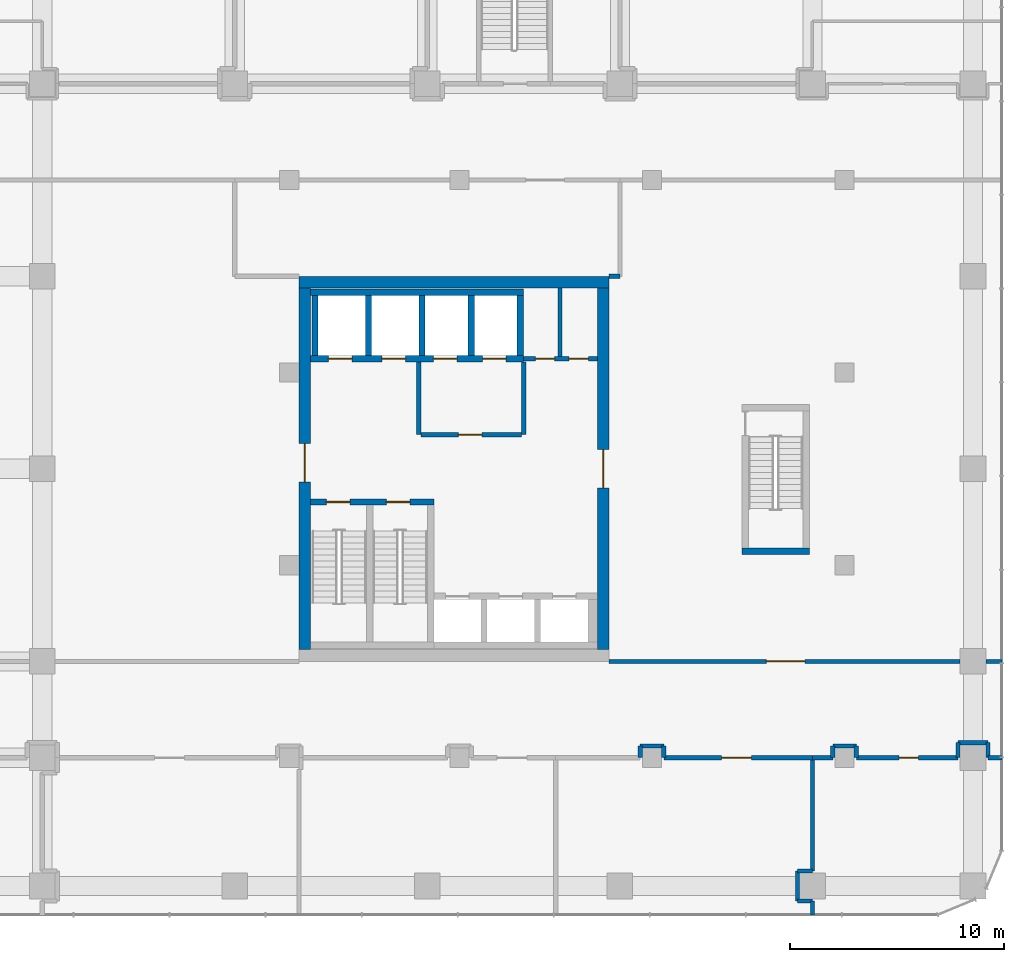
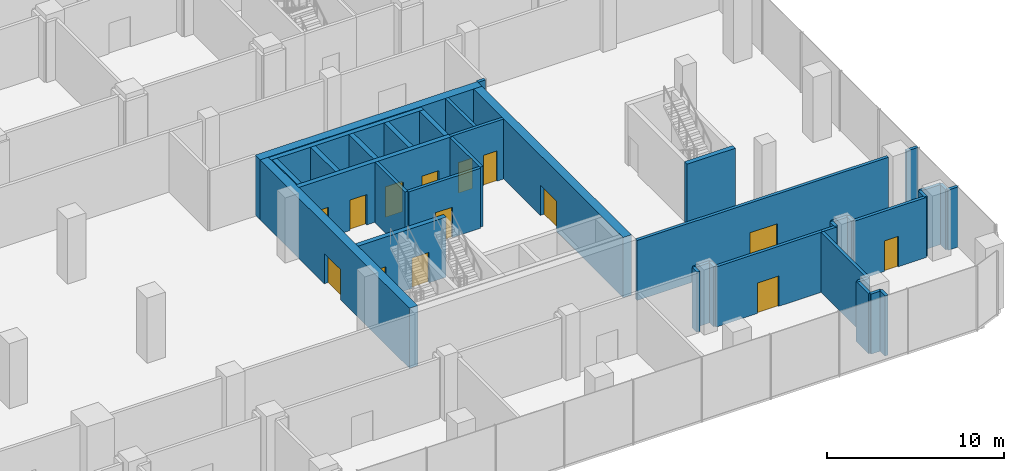
# One storey, part 34 of 43: 38 walls, 14 doors, 14 openings.
"""IFC4 building model written with IfcOpenShell, lengths in metres."""

import ifcopenshell
import ifcopenshell.guid

model = None  # the IFC model being written
_history = None  # IfcOwnerHistory: only IFC2X3 demands one
_inside = {}  # id of a spatial element -> (the spatial element, [elements in it])
_under = {}  # id of a project, library or spatial element -> (it, [spatial elements below it])
_declared = {}  # id of a project -> (the project, [libraries it declares])
_typed = {}  # id of a type object -> (the type object, [elements of that type])
_made_of = {}  # id of a material, layer set ... -> (it, [elements and type objects made of it])


def new_model(schema):
    """Start an empty IFC model of exactly this schema.

    Asked for "IFC4X3", IfcOpenShell would pick the latest addendum, in which some entities
    have other attributes; the version numbers below select the first issue.
    IFC2X3 requires an IfcOwnerHistory on every rooted entity: one is made here for all.
    """
    global model, _history
    if schema == "IFC4X3":
        model = ifcopenshell.file(schema_version=(4, 3, 0, 0))
    else:
        model = ifcopenshell.file(schema=schema)
    _inside.clear()
    _under.clear()
    _declared.clear()
    _typed.clear()
    _made_of.clear()
    _history = None
    if model.schema == "IFC2X3":
        org = make("IfcOrganization", Name="unknown")
        user = make(
            "IfcPersonAndOrganization",
            ThePerson=make("IfcPerson", FamilyName="unknown"),
            TheOrganization=org,
        )
        app = make(
            "IfcApplication",
            ApplicationDeveloper=org,
            Version="unknown",
            ApplicationFullName="unknown",
            ApplicationIdentifier="unknown",
        )
        _history = make(
            "IfcOwnerHistory",
            OwningUser=user,
            OwningApplication=app,
            ChangeAction="ADDED",
            CreationDate=0,
        )
    return model


def make(cls, **values):
    """One entity of the class cls with the attributes given. An attribute that is None is left unset."""
    return model.create_entity(
        cls, **{name: value for name, value in values.items() if value is not None}
    )


def rooted(cls, **values):
    """An entity with a GlobalId (a new one), such as an element, a storey or a relation."""
    return make(cls, GlobalId=ifcopenshell.guid.new(), OwnerHistory=_history, **values)


def si_unit(unit_type, name, prefix=None):
    """IfcSIUnit, for example si_unit("LENGTHUNIT", "METRE", prefix="MILLI")."""
    return make("IfcSIUnit", UnitType=unit_type, Prefix=prefix, Name=name)


def assignment(units):
    """IfcUnitAssignment: the units of a project."""
    return None if units is None else make("IfcUnitAssignment", Units=units)


def point(xyz):
    """IfcCartesianPoint."""
    return None if xyz is None else make("IfcCartesianPoint", Coordinates=xyz)


def direction(xyz):
    """IfcDirection."""
    return None if xyz is None else make("IfcDirection", DirectionRatios=xyz)


def frame(location, z_axis=None, x_axis=None):
    """IfcAxis2Placement3D, a coordinate frame: its origin and axes. An axis left out is left unset."""
    return make(
        "IfcAxis2Placement3D",
        Location=point(location),
        Axis=direction(z_axis),
        RefDirection=direction(x_axis),
    )


def frame_2d(location, x_axis=None):
    """IfcAxis2Placement2D, a coordinate frame in the plane: its origin and x axis."""
    return make(
        "IfcAxis2Placement2D", Location=point(location), RefDirection=direction(x_axis)
    )


def origin():
    """The frame at (0, 0, 0) with its axes left unset."""
    return frame((0.0, 0.0, 0.0))


def place(relative_to, where):
    """IfcLocalPlacement: puts the frame where relative to a parent placement (None: the world)."""
    return make(
        "IfcLocalPlacement", PlacementRelTo=relative_to, RelativePlacement=where
    )


def context(
    kind, dimensions, precision=None, world=None, true_north=None, identifier=None
):
    """IfcGeometricRepresentationContext, for example the 3D "Model" context."""
    return make(
        "IfcGeometricRepresentationContext",
        ContextIdentifier=identifier,
        ContextType=kind,
        CoordinateSpaceDimension=dimensions,
        Precision=precision,
        WorldCoordinateSystem=world,
        TrueNorth=true_north,
    )


def subcontext(parent, identifier, kind, view, scale=None):
    """IfcGeometricRepresentationSubContext, for example "Body" below "Model"."""
    return make(
        "IfcGeometricRepresentationSubContext",
        ContextIdentifier=identifier,
        ContextType=kind,
        ParentContext=parent,
        TargetScale=scale,
        TargetView=view,
    )


def project(units=None, contexts=None):
    """IfcProject with its units and contexts."""
    return rooted(
        "IfcProject",
        Name="project",
        RepresentationContexts=contexts,
        UnitsInContext=assignment(units),
    )


def spatial(cls, under=None, at=None, **own):
    """A site, building, storey or space (cls), placed at a placement, below another one or the project."""
    s = rooted(cls, ObjectPlacement=at, **own)
    if under is not None:
        _under.setdefault(under.id(), (under, []))[1].append(s)
    return s


def profile(cls, at=None, kind="AREA", **sizes):
    """A parametric profile (cls). Its sizes go by their IFC names, for example OverallWidth=200.0."""
    return make(cls, ProfileType=kind, Position=at, **sizes)


def rectangle(**sizes):
    """IfcRectangleProfileDef."""
    return profile("IfcRectangleProfileDef", **sizes)


def extrude(swept, where, along, depth):
    """IfcExtrudedAreaSolid: the profile swept, set in the frame where, extruded along a direction by depth."""
    return make(
        "IfcExtrudedAreaSolid",
        SweptArea=swept,
        Position=where,
        ExtrudedDirection=direction(along),
        Depth=depth,
    )


def shape(context_of_items, identifier, shape_type, items):
    """IfcShapeRepresentation: the items that make up one representation, for example the "Body"."""
    return make(
        "IfcShapeRepresentation",
        ContextOfItems=context_of_items,
        RepresentationIdentifier=identifier,
        RepresentationType=shape_type,
        Items=items,
    )


def material(Name=None, Category=None):
    """IfcMaterial."""
    return make("IfcMaterial", Name=Name, Category=Category)


def layer(
    of_material, thickness, ventilated=None, Name=None, Category=None, Priority=None
):
    """IfcMaterialLayer: one layer of a wall or slab, of a material (None: an air gap)."""
    return make(
        "IfcMaterialLayer",
        Material=of_material,
        LayerThickness=thickness,
        IsVentilated=ventilated,
        Name=Name,
        Category=Category,
        Priority=Priority,
    )


def layer_set(layers, Name=None):
    """IfcMaterialLayerSet."""
    return make("IfcMaterialLayerSet", MaterialLayers=layers, LayerSetName=Name)


def made_of(thing, what):
    """Note that an element or type object is made of a material, layer set ...; save() writes the relation."""
    if what is not None:
        _made_of.setdefault(what.id(), (what, []))[1].append(thing)
    return thing


def type_object(cls, material=None, **own):
    """A type object (cls), such as IfcWallType, which elements share."""
    return made_of(rooted(cls, **own), material)


def element(
    cls,
    number,
    at=None,
    inside=None,
    cuts=None,
    type_object=None,
    material=None,
    context=None,
    identifier="Body",
    shape_type=None,
    held_by="IfcProductDefinitionShape",
    body=None,
    shapes=None,
    **own,
):
    """One element of the class cls, such as IfcWall. Its Tag is "e" and its number.

    at: its placement. inside: the storey or other place that contains it. cuts: it is an
    opening in that element (IfcRelVoidsElement). A single representation is given by context,
    identifier, shape_type and body (its items); several are given by shapes. held_by: the class
    of the entity that holds the representations. save() writes the other relations.
    """
    e = rooted(cls, Tag="e%d" % number, ObjectPlacement=at, **own)
    if body is not None:
        shapes = [shape(context, identifier, shape_type, body)]
    if shapes is not None:
        e.Representation = make(held_by, Representations=shapes)
    if inside is not None:
        _inside.setdefault(inside.id(), (inside, []))[1].append(e)
    if cuts is not None:
        rooted(
            "IfcRelVoidsElement", RelatingBuildingElement=cuts, RelatedOpeningElement=e
        )
    if type_object is not None:
        _typed.setdefault(type_object.id(), (type_object, []))[1].append(e)
    return made_of(e, material)


def fill(opening, filler):
    """IfcRelFillsElement: the door or window that sits in an opening."""
    return rooted(
        "IfcRelFillsElement",
        RelatingOpeningElement=opening,
        RelatedBuildingElement=filler,
    )


def aggregate(whole, parts):
    """IfcRelAggregates: a whole, such as a stair, and the parts it consists of."""
    return rooted("IfcRelAggregates", RelatingObject=whole, RelatedObjects=parts)


def save(model, path):
    """Write the relations noted so far, then the file.

    IfcRelAggregates (storeys below a building ...), IfcRelContainedInSpatialStructure (elements
    in a storey), IfcRelDefinesByType, IfcRelAssociatesMaterial and IfcRelDeclares: one each for
    every whole, place, type object, material and project.
    """
    for whole, parts in _under.values():
        aggregate(whole, parts)
    for where, things in _inside.values():
        rooted(
            "IfcRelContainedInSpatialStructure",
            RelatedElements=things,
            RelatingStructure=where,
        )
    for kind, things in _typed.values():
        rooted("IfcRelDefinesByType", RelatedObjects=things, RelatingType=kind)
    for what, things in _made_of.values():
        rooted("IfcRelAssociatesMaterial", RelatedObjects=things, RelatingMaterial=what)
    for by, libraries in _declared.values():
        rooted("IfcRelDeclares", RelatingContext=by, RelatedDefinitions=libraries)
    model.write(path)


model = new_model("IFC4")

# Units and contexts
model_context = context("Model", 3, precision=1e-05, world=origin(), true_north=direction((0.0, 1.0)))
body_context = subcontext(model_context, "Body", "Model", "MODEL_VIEW")
ifc_project = project(units=[si_unit("LENGTHUNIT", "METRE"), si_unit("AREAUNIT", "SQUARE_METRE"), si_unit("VOLUMEUNIT", "CUBIC_METRE"), si_unit("PLANEANGLEUNIT", "RADIAN"), si_unit("MASSUNIT", "GRAM", prefix="KILO")], contexts=[model_context])

# Site, building, storey
site_placement = place(None, origin())
site = spatial("IfcSite", under=ifc_project, at=site_placement, CompositionType="ELEMENT")
building_placement = place(site_placement, origin())
building = spatial("IfcBuilding", under=site, at=building_placement, Name="Plateau Cross Towers", CompositionType="ELEMENT")
storey_placement = place(building_placement, frame((0.0, 0.0, 17.300048828125)))
storey = spatial("IfcBuildingStorey", under=building, at=storey_placement, Name="L03", CompositionType="ELEMENT", Elevation=17.300048828125)

# Wall
ifc_material_1 = material(Name="Concrete block, plastered both sides", Category="concrete")
ifc_layer_1 = layer(ifc_material_1, 0.199951171875)
ifc_layer_set_1 = layer_set([ifc_layer_1], Name="Concrete block, plastered both sides")
wall_type_1 = type_object("IfcWallType", Name="Core partition 200", PredefinedType="PARTITIONING", material=ifc_layer_set_1)
wall_1_placement = place(storey_placement, frame((80.60009765625, 10.60009765625, 0.0), z_axis=(0.0, 0.0, 1.0), x_axis=(0.0, 1.0, 0.0)))
element("IfcWall", 1, at=wall_1_placement, inside=storey, type_object=wall_type_1, Name="Core partition", PredefinedType="PARTITIONING", context=body_context, shape_type="SweptSolid", body=[
    extrude(rectangle(XDim=3.39990234375, YDim=0.199951171875, at=frame_2d((1.699951171875, 0.0))), origin(), (0.0, 0.0, 1.0), 4.14990234375),
])

# Wall, opening, door
wall_2_placement = place(storey_placement, frame((80.699951171875, 10.60009765625, 0.0), z_axis=(0.0, 0.0, 1.0), x_axis=(1.0, 0.0, 0.0)))
wall_2 = element("IfcWall", 2, at=wall_2_placement, inside=storey, type_object=wall_type_1, Name="Core partition", PredefinedType="PARTITIONING", context=body_context, shape_type="SweptSolid", body=[
    extrude(rectangle(XDim=4.699951171875, YDim=0.199951171875, at=frame_2d((2.35009765625, 0.0))), origin(), (0.0, 0.0, 1.0), 4.14990234375),
])
opening_1_placement = place(wall_2_placement, frame((1.75, 0.0, 0.0)))
opening_1 = element("IfcOpeningElement", 3, at=opening_1_placement, cuts=wall_2, Name="Opening FFD", PredefinedType="OPENING", context=body_context, shape_type="SweptSolid", body=[
    extrude(rectangle(XDim=1.10009765625, YDim=2.10009765625, at=frame_2d((0.550048828125, 1.050048828125))), frame((0.0, 0.10986328125, 0.0), z_axis=(0.0, -1.0, 0.0), x_axis=(1.0, 0.0, 0.0)), (0.0, 0.0, 1.0), 0.219970703125),
])
ifc_material_2 = material(Name="Steel, fire-resisting leaf", Category="steel")
door_type_1 = type_object("IfcDoorType", Name="Firefighting lobby door 1100", OperationType="NOTDEFINED", PredefinedType="DOOR", material=ifc_material_2)
door_1_placement = place(opening_1_placement, origin())
door_1 = element("IfcDoor", 4, at=door_1_placement, inside=storey, type_object=door_type_1, Name="Firefighting lobby door FFD", OperationType="SINGLE_SWING_LEFT", OverallHeight=2.10009765625, OverallWidth=1.10009765625, PredefinedType="DOOR", context=body_context, shape_type="SweptSolid", body=[
    extrude(rectangle(XDim=1.10009765625, YDim=2.10009765625, at=frame_2d((0.550048828125, 1.050048828125))), frame((0.0, 0.02490234375, 0.0), z_axis=(0.0, -1.0, 0.0), x_axis=(1.0, 0.0, 0.0)), (0.0, 0.0, 1.0), 0.050048828125),
])
fill(opening_1, door_1)

# Wall
wall_3_placement = place(storey_placement, frame((85.5, 10.60009765625, 0.0), z_axis=(0.0, 0.0, 1.0), x_axis=(0.0, 1.0, 0.0)))
element("IfcWall", 5, at=wall_3_placement, inside=storey, type_object=wall_type_1, Name="Core partition", PredefinedType="PARTITIONING", context=body_context, shape_type="SweptSolid", body=[
    extrude(rectangle(XDim=3.39990234375, YDim=0.199951171875, at=frame_2d((1.699951171875, 0.0))), origin(), (0.0, 0.0, 1.0), 4.14990234375),
])

# Wall, openings, doors
wall_4_placement = place(storey_placement, frame((85.5, 14.14990234375, 0.0), z_axis=(0.0, 0.0, 1.0), x_axis=(1.0, 0.0, 0.0)))
wall_4 = element("IfcWall", 6, at=wall_4_placement, inside=storey, type_object=wall_type_1, Name="Core partition", PredefinedType="PARTITIONING", context=body_context, shape_type="SweptSolid", body=[
    extrude(rectangle(XDim=3.449951171875, YDim=0.199951171875, at=frame_2d((1.72509765625, 0.0))), origin(), (0.0, 0.0, 1.0), 4.14990234375),
])
opening_2_placement = place(wall_4_placement, frame((0.550048828125, 0.0, 0.0)))
opening_2 = element("IfcOpeningElement", 7, at=opening_2_placement, cuts=wall_4, Name="Opening RD2", PredefinedType="OPENING", context=body_context, shape_type="SweptSolid", body=[
    extrude(rectangle(XDim=0.89990234375, YDim=2.10009765625, at=frame_2d((0.449951171875, 1.050048828125))), frame((0.0, 0.10986328125, 0.0), z_axis=(0.0, -1.0, 0.0), x_axis=(1.0, 0.0, 0.0)), (0.0, 0.0, 1.0), 0.219970703125),
])
opening_3_placement = place(wall_4_placement, frame((2.125, 0.0, 0.0)))
opening_3 = element("IfcOpeningElement", 8, at=opening_3_placement, cuts=wall_4, Name="Opening RD2", PredefinedType="OPENING", context=body_context, shape_type="SweptSolid", body=[
    extrude(rectangle(XDim=0.89990234375, YDim=2.10009765625, at=frame_2d((0.449951171875, 1.050048828125))), frame((0.0, 0.10986328125, 0.0), z_axis=(0.0, -1.0, 0.0), x_axis=(1.0, 0.0, 0.0)), (0.0, 0.0, 1.0), 0.219970703125),
])
door_type_2 = type_object("IfcDoorType", Name="Core riser door 900", OperationType="NOTDEFINED", PredefinedType="DOOR", material=ifc_material_2)
door_2_placement = place(opening_2_placement, origin())
door_2 = element("IfcDoor", 9, at=door_2_placement, inside=storey, type_object=door_type_2, Name="Core riser door RD2", OperationType="SINGLE_SWING_LEFT", OverallHeight=2.10009765625, OverallWidth=0.89990234375, PredefinedType="DOOR", context=body_context, shape_type="SweptSolid", body=[
    extrude(rectangle(XDim=0.89990234375, YDim=2.10009765625, at=frame_2d((0.449951171875, 1.050048828125))), frame((0.0, 0.02490234375, 0.0), z_axis=(0.0, -1.0, 0.0), x_axis=(1.0, 0.0, 0.0)), (0.0, 0.0, 1.0), 0.050048828125),
])
fill(opening_2, door_2)
door_3_placement = place(opening_3_placement, origin())
door_3 = element("IfcDoor", 10, at=door_3_placement, inside=storey, type_object=door_type_2, Name="Core riser door RD2", OperationType="SINGLE_SWING_LEFT", OverallHeight=2.10009765625, OverallWidth=0.89990234375, PredefinedType="DOOR", context=body_context, shape_type="SweptSolid", body=[
    extrude(rectangle(XDim=0.89990234375, YDim=2.10009765625, at=frame_2d((0.449951171875, 1.050048828125))), frame((0.0, 0.02490234375, 0.0), z_axis=(0.0, -1.0, 0.0), x_axis=(1.0, 0.0, 0.0)), (0.0, 0.0, 1.0), 0.050048828125),
])
fill(opening_3, door_3)

# Wall
wall_5_placement = place(storey_placement, frame((87.199951171875, 14.25, 0.0), z_axis=(0.0, 0.0, 1.0), x_axis=(0.0, 1.0, 0.0)))
element("IfcWall", 11, at=wall_5_placement, inside=storey, type_object=wall_type_1, Name="Core partition", PredefinedType="PARTITIONING", context=body_context, shape_type="SweptSolid", body=[
    extrude(rectangle(XDim=3.199951171875, YDim=0.199951171875, at=frame_2d((1.60009765625, 0.0))), origin(), (0.0, 0.0, 1.0), 4.14990234375),
])

# Wall, openings, doors
ifc_material_3 = material(Name="Concrete C60/75", Category="concrete")
ifc_layer_2 = layer(ifc_material_3, 0.300048828125)
ifc_layer_set_2 = layer_set([ifc_layer_2], Name="Concrete C60/75")
wall_type_2 = type_object("IfcWallType", Name="Core shaft wall 300", PredefinedType="SHEAR", material=ifc_layer_set_2)
wall_6_placement = place(storey_placement, frame((75.530029296875, 7.449951171875, 0.0), z_axis=(0.0, 0.0, 1.0), x_axis=(1.0, 0.0, 0.0)))
wall_6 = element("IfcWall", 12, at=wall_6_placement, inside=storey, type_object=wall_type_2, Name="B-sb-stN@L03", PredefinedType="SHEAR", context=body_context, shape_type="SweptSolid", body=[
    extrude(rectangle(XDim=5.77001953125, YDim=0.300048828125, at=frame_2d((2.885009765625, 0.0))), origin(), (0.0, 0.0, 1.0), 4.14990234375),
])
opening_4_placement = place(wall_6_placement, frame((0.75, 0.0, 0.0)))
opening_4 = element("IfcOpeningElement", 13, at=opening_4_placement, cuts=wall_6, Name="Opening SD", PredefinedType="OPENING", context=body_context, shape_type="SweptSolid", body=[
    extrude(rectangle(XDim=1.10009765625, YDim=2.10009765625, at=frame_2d((0.550048828125, 1.050048828125))), frame((0.0, 0.159912109375, 0.0), z_axis=(0.0, -1.0, 0.0), x_axis=(1.0, 0.0, 0.0)), (0.0, 0.0, 1.0), 0.320068359375),
])
opening_5_placement = place(wall_6_placement, frame((3.550048828125, 0.0, 0.0)))
opening_5 = element("IfcOpeningElement", 14, at=opening_5_placement, cuts=wall_6, Name="Opening SD", PredefinedType="OPENING", context=body_context, shape_type="SweptSolid", body=[
    extrude(rectangle(XDim=1.10009765625, YDim=2.10009765625, at=frame_2d((0.550048828125, 1.050048828125))), frame((0.0, 0.159912109375, 0.0), z_axis=(0.0, -1.0, 0.0), x_axis=(1.0, 0.0, 0.0)), (0.0, 0.0, 1.0), 0.320068359375),
])
door_type_3 = type_object("IfcDoorType", Name="Stair door 1100", OperationType="NOTDEFINED", PredefinedType="DOOR", material=ifc_material_2)
door_4_placement = place(opening_4_placement, origin())
door_4 = element("IfcDoor", 15, at=door_4_placement, inside=storey, type_object=door_type_3, Name="Stair door SD", OperationType="SINGLE_SWING_RIGHT", OverallHeight=2.10009765625, OverallWidth=1.10009765625, PredefinedType="DOOR", context=body_context, shape_type="SweptSolid", body=[
    extrude(rectangle(XDim=1.10009765625, YDim=2.10009765625, at=frame_2d((0.550048828125, 1.050048828125))), frame((0.0, 0.02490234375, 0.0), z_axis=(0.0, -1.0, 0.0), x_axis=(1.0, 0.0, 0.0)), (0.0, 0.0, 1.0), 0.050048828125),
])
fill(opening_4, door_4)
door_5_placement = place(opening_5_placement, origin())
door_5 = element("IfcDoor", 16, at=door_5_placement, inside=storey, type_object=door_type_3, Name="Stair door SD", OperationType="SINGLE_SWING_LEFT", OverallHeight=2.10009765625, OverallWidth=1.10009765625, PredefinedType="DOOR", context=body_context, shape_type="SweptSolid", body=[
    extrude(rectangle(XDim=1.10009765625, YDim=2.10009765625, at=frame_2d((0.550048828125, 1.050048828125))), frame((0.0, 0.02490234375, 0.0), z_axis=(0.0, -1.0, 0.0), x_axis=(1.0, 0.0, 0.0)), (0.0, 0.0, 1.0), 0.050048828125),
])
fill(opening_5, door_5)

# Wall
wall_7_placement = place(storey_placement, frame((75.530029296875, 17.25, 0.0), z_axis=(0.0, 0.0, 1.0), x_axis=(1.0, 0.0, 0.0)))
element("IfcWall", 17, at=wall_7_placement, inside=storey, type_object=wall_type_2, Name="B-nb-back@L03", PredefinedType="SHEAR", context=body_context, shape_type="SweptSolid", body=[
    extrude(rectangle(XDim=9.969970703125, YDim=0.300048828125, at=frame_2d((4.98486328125, 0.0))), origin(), (0.0, 0.0, 1.0), 4.14990234375),
])

# Wall, openings, doors
wall_8_placement = place(storey_placement, frame((75.530029296875, 14.14990234375, 0.0), z_axis=(0.0, 0.0, 1.0), x_axis=(1.0, 0.0, 0.0)))
wall_8 = element("IfcWall", 18, at=wall_8_placement, inside=storey, type_object=wall_type_2, Name="B-nb-front@L03", PredefinedType="SHEAR", context=body_context, shape_type="SweptSolid", body=[
    extrude(rectangle(XDim=9.969970703125, YDim=0.300048828125, at=frame_2d((4.98486328125, 0.0))), origin(), (0.0, 0.0, 1.0), 4.14990234375),
])
opening_6_placement = place(wall_8_placement, frame((0.85009765625, 0.0, 0.0)))
opening_6 = element("IfcOpeningElement", 19, at=opening_6_placement, cuts=wall_8, Name="Opening LD", PredefinedType="OPENING", context=body_context, shape_type="SweptSolid", body=[
    extrude(rectangle(XDim=1.10009765625, YDim=2.10009765625, at=frame_2d((0.550048828125, 1.050048828125))), frame((0.0, 0.159912109375, 0.0), z_axis=(0.0, -1.0, 0.0), x_axis=(1.0, 0.0, 0.0)), (0.0, 0.0, 1.0), 0.320068359375),
])
opening_7_placement = place(wall_8_placement, frame((3.35009765625, 0.0, 0.0)))
opening_7 = element("IfcOpeningElement", 20, at=opening_7_placement, cuts=wall_8, Name="Opening LD", PredefinedType="OPENING", context=body_context, shape_type="SweptSolid", body=[
    extrude(rectangle(XDim=1.10009765625, YDim=2.10009765625, at=frame_2d((0.550048828125, 1.050048828125))), frame((0.0, 0.159912109375, 0.0), z_axis=(0.0, -1.0, 0.0), x_axis=(1.0, 0.0, 0.0)), (0.0, 0.0, 1.0), 0.320068359375),
])
opening_8_placement = place(wall_8_placement, frame((5.75, 0.0, 0.0)))
opening_8 = element("IfcOpeningElement", 21, at=opening_8_placement, cuts=wall_8, Name="Opening LD", PredefinedType="OPENING", context=body_context, shape_type="SweptSolid", body=[
    extrude(rectangle(XDim=1.10009765625, YDim=2.10009765625, at=frame_2d((0.550048828125, 1.050048828125))), frame((0.0, 0.159912109375, 0.0), z_axis=(0.0, -1.0, 0.0), x_axis=(1.0, 0.0, 0.0)), (0.0, 0.0, 1.0), 0.320068359375),
])
opening_9_placement = place(wall_8_placement, frame((8.050048828125, 0.0, 0.0)))
opening_9 = element("IfcOpeningElement", 22, at=opening_9_placement, cuts=wall_8, Name="Opening LD", PredefinedType="OPENING", context=body_context, shape_type="SweptSolid", body=[
    extrude(rectangle(XDim=1.10009765625, YDim=2.10009765625, at=frame_2d((0.550048828125, 1.050048828125))), frame((0.0, 0.159912109375, 0.0), z_axis=(0.0, -1.0, 0.0), x_axis=(1.0, 0.0, 0.0)), (0.0, 0.0, 1.0), 0.320068359375),
])
ifc_material_4 = material(Name="Stainless steel, fire-resisting sliding leaves", Category="steel")
door_type_4 = type_object("IfcDoorType", Name="Lift landing door 1100", OperationType="NOTDEFINED", PredefinedType="DOOR", material=ifc_material_4)
door_6_placement = place(opening_6_placement, origin())
door_6 = element("IfcDoor", 23, at=door_6_placement, inside=storey, type_object=door_type_4, Name="Lift landing door LD", OperationType="DOUBLE_DOOR_SLIDING", OverallHeight=2.10009765625, OverallWidth=1.10009765625, PredefinedType="DOOR", context=body_context, shape_type="SweptSolid", body=[
    extrude(rectangle(XDim=1.10009765625, YDim=2.10009765625, at=frame_2d((0.550048828125, 1.050048828125))), frame((0.0, 0.02490234375, 0.0), z_axis=(0.0, -1.0, 0.0), x_axis=(1.0, 0.0, 0.0)), (0.0, 0.0, 1.0), 0.050048828125),
])
fill(opening_6, door_6)
door_7_placement = place(opening_7_placement, origin())
door_7 = element("IfcDoor", 24, at=door_7_placement, inside=storey, type_object=door_type_4, Name="Lift landing door LD", OperationType="DOUBLE_DOOR_SLIDING", OverallHeight=2.10009765625, OverallWidth=1.10009765625, PredefinedType="DOOR", context=body_context, shape_type="SweptSolid", body=[
    extrude(rectangle(XDim=1.10009765625, YDim=2.10009765625, at=frame_2d((0.550048828125, 1.050048828125))), frame((0.0, 0.02490234375, 0.0), z_axis=(0.0, -1.0, 0.0), x_axis=(1.0, 0.0, 0.0)), (0.0, 0.0, 1.0), 0.050048828125),
])
fill(opening_7, door_7)
door_8_placement = place(opening_8_placement, origin())
door_8 = element("IfcDoor", 25, at=door_8_placement, inside=storey, type_object=door_type_4, Name="Lift landing door LD", OperationType="DOUBLE_DOOR_SLIDING", OverallHeight=2.10009765625, OverallWidth=1.10009765625, PredefinedType="DOOR", context=body_context, shape_type="SweptSolid", body=[
    extrude(rectangle(XDim=1.10009765625, YDim=2.10009765625, at=frame_2d((0.550048828125, 1.050048828125))), frame((0.0, 0.02490234375, 0.0), z_axis=(0.0, -1.0, 0.0), x_axis=(1.0, 0.0, 0.0)), (0.0, 0.0, 1.0), 0.050048828125),
])
fill(opening_8, door_8)
door_9_placement = place(opening_9_placement, origin())
door_9 = element("IfcDoor", 26, at=door_9_placement, inside=storey, type_object=door_type_4, Name="Lift landing door LD", OperationType="DOUBLE_DOOR_SLIDING", OverallHeight=2.10009765625, OverallWidth=1.10009765625, PredefinedType="DOOR", context=body_context, shape_type="SweptSolid", body=[
    extrude(rectangle(XDim=1.10009765625, YDim=2.10009765625, at=frame_2d((0.550048828125, 1.050048828125))), frame((0.0, 0.02490234375, 0.0), z_axis=(0.0, -1.0, 0.0), x_axis=(1.0, 0.0, 0.0)), (0.0, 0.0, 1.0), 0.050048828125),
])
fill(opening_9, door_9)

# Walls
for number, where, z_axis, x_axis, name in (
    (27, (75.75, 14.300048828125, 0.0), (0.0, 0.0, 1.0), (0.0, 1.0, 0.0), "B-nb-v0@L03"),
    (28, (78.25, 14.300048828125, 0.0), (0.0, 0.0, 1.0), (0.0, 1.0, 0.0), "B-nb-v1@L03"),
    (29, (80.75, 14.300048828125, 0.0), (0.0, 0.0, 1.0), (0.0, 1.0, 0.0), "B-nb-v2@L03"),
    (30, (83.050048828125, 14.300048828125, 0.0), (0.0, 0.0, 1.0), (0.0, 1.0, 0.0), "B-nb-v3@L03"),
    (31, (85.35009765625, 14.300048828125, 0.0), (0.0, 0.0, 1.0), (0.0, 1.0, 0.0), "B-nb-v4@L03"),
):
    element("IfcWall", number, at=place(storey_placement, frame(where, z_axis=z_axis, x_axis=x_axis)), inside=storey, type_object=wall_type_2, Name=name, PredefinedType="SHEAR", context=body_context, shape_type="SweptSolid", body=[
        extrude(rectangle(XDim=2.800048828125, YDim=0.300048828125, at=frame_2d((1.39990234375, 0.0))), origin(), (0.0, 0.0, 1.0), 4.14990234375),
    ])
wall_9_placement = place(storey_placement, frame((95.699951171875, 5.14990234375, 0.0), z_axis=(0.0, 0.0, 1.0), x_axis=(1.0, 0.0, 0.0)))
element("IfcWall", 32, at=wall_9_placement, inside=storey, type_object=wall_type_2, Name="B-sb3-S@L03", PredefinedType="SHEAR", context=body_context, shape_type="SweptSolid", body=[
    extrude(rectangle(XDim=3.150146484375, YDim=0.300048828125, at=frame_2d((1.5751953125, 0.0))), origin(), (0.0, 0.0, 1.0), 4.14990234375),
])
ifc_layer_3 = layer(ifc_material_3, 0.550048828125)
ifc_layer_set_3 = layer_set([ifc_layer_3], Name="Concrete C60/75")
wall_type_3 = type_object("IfcWallType", Name="Core shell wall 550", PredefinedType="SHEAR", material=ifc_layer_set_3)
wall_10_placement = place(storey_placement, frame((75.0, 17.72509765625, 0.0), z_axis=(0.0, 0.0, 1.0), x_axis=(1.0, 0.0, 0.0)))
element("IfcWall", 33, at=wall_10_placement, inside=storey, type_object=wall_type_3, Name="B-core-N@L03", PredefinedType="SHEAR", context=body_context, shape_type="SweptSolid", body=[
    extrude(rectangle(XDim=14.5, YDim=0.550048828125, at=frame_2d((7.25, 0.0))), origin(), (0.0, 0.0, 1.0), 4.14990234375),
])

# Wall, opening, door
wall_11_placement = place(storey_placement, frame((75.27490234375, 0.550048828125, 0.0), z_axis=(0.0, 0.0, 1.0), x_axis=(0.0, 1.0, 0.0)))
wall_11 = element("IfcWall", 34, at=wall_11_placement, inside=storey, type_object=wall_type_3, Name="B-core-W@L03", PredefinedType="SHEAR", context=body_context, shape_type="SweptSolid", body=[
    extrude(rectangle(XDim=16.89990234375, YDim=0.550048828125, at=frame_2d((8.449951171875, 0.0))), origin(), (0.0, 0.0, 1.0), 4.14990234375),
])
opening_10_placement = place(wall_11_placement, frame((7.824951171875, 0.0, 0.0)))
opening_10 = element("IfcOpeningElement", 35, at=opening_10_placement, cuts=wall_11, Name="Opening CD", PredefinedType="OPENING", context=body_context, shape_type="SweptSolid", body=[
    extrude(rectangle(XDim=1.800048828125, YDim=2.10009765625, at=frame_2d((0.89990234375, 1.050048828125))), frame((0.0, 0.284912109375, 0.0), z_axis=(0.0, -1.0, 0.0), x_axis=(1.0, 0.0, 0.0)), (0.0, 0.0, 1.0), 0.570068359375),
])
ifc_material_5 = material(Name="Steel, fire-resisting leaves", Category="steel")
door_type_5 = type_object("IfcDoorType", Name="Corridor door pair 1800", OperationType="NOTDEFINED", PredefinedType="DOOR", material=ifc_material_5)
door_10_placement = place(opening_10_placement, origin())
door_10 = element("IfcDoor", 36, at=door_10_placement, inside=storey, type_object=door_type_5, Name="Corridor door pair CD", OperationType="DOUBLE_DOOR_SINGLE_SWING", OverallHeight=2.10009765625, OverallWidth=1.800048828125, PredefinedType="DOOR", context=body_context, shape_type="SweptSolid", body=[
    extrude(rectangle(XDim=1.800048828125, YDim=2.10009765625, at=frame_2d((0.89990234375, 1.050048828125))), frame((0.0, 0.02490234375, 0.0), z_axis=(0.0, -1.0, 0.0), x_axis=(1.0, 0.0, 0.0)), (0.0, 0.0, 1.0), 0.050048828125),
])
fill(opening_10, door_10)

wall_12_placement = place(storey_placement, frame((89.22509765625, 0.550048828125, 0.0), z_axis=(0.0, 0.0, 1.0), x_axis=(0.0, 1.0, 0.0)))
wall_12 = element("IfcWall", 37, at=wall_12_placement, inside=storey, type_object=wall_type_3, Name="B-core-E@L03", PredefinedType="SHEAR", context=body_context, shape_type="SweptSolid", body=[
    extrude(rectangle(XDim=16.89990234375, YDim=0.550048828125, at=frame_2d((8.449951171875, 0.0))), origin(), (0.0, 0.0, 1.0), 4.14990234375),
])
opening_11_placement = place(wall_12_placement, frame((7.550048828125, 0.0, 0.0)))
opening_11 = element("IfcOpeningElement", 38, at=opening_11_placement, cuts=wall_12, Name="Opening CD", PredefinedType="OPENING", context=body_context, shape_type="SweptSolid", body=[
    extrude(rectangle(XDim=1.800048828125, YDim=2.10009765625, at=frame_2d((0.89990234375, 1.050048828125))), frame((0.0, 0.284912109375, 0.0), z_axis=(0.0, -1.0, 0.0), x_axis=(1.0, 0.0, 0.0)), (0.0, 0.0, 1.0), 0.570068359375),
])
door_11_placement = place(opening_11_placement, origin())
door_11 = element("IfcDoor", 39, at=door_11_placement, inside=storey, type_object=door_type_5, Name="Corridor door pair CD", OperationType="DOUBLE_DOOR_SINGLE_SWING", OverallHeight=2.10009765625, OverallWidth=1.800048828125, PredefinedType="DOOR", context=body_context, shape_type="SweptSolid", body=[
    extrude(rectangle(XDim=1.800048828125, YDim=2.10009765625, at=frame_2d((0.89990234375, 1.050048828125))), frame((0.0, 0.02490234375, 0.0), z_axis=(0.0, -1.0, 0.0), x_axis=(1.0, 0.0, 0.0)), (0.0, 0.0, 1.0), 0.050048828125),
])
fill(opening_11, door_11)

ifc_material_6 = material(Name="Gypsum board on steel studs", Category="steel")
ifc_layer_4 = layer(ifc_material_6, 0.199951171875)
ifc_layer_set_4 = layer_set([ifc_layer_4], Name="Gypsum board on steel studs")
wall_type_4 = type_object("IfcWallType", Name="Podium partition 200", PredefinedType="PARTITIONING", material=ifc_layer_set_4)
wall_13_placement = place(storey_placement, frame((89.5, 0.0, 0.0), z_axis=(0.0, 0.0, 1.0), x_axis=(1.0, 0.0, 0.0)))
wall_13 = element("IfcWall", 40, at=wall_13_placement, inside=storey, type_object=wall_type_4, Name="Partition wall", PredefinedType="PARTITIONING", context=body_context, shape_type="SweptSolid", body=[
    extrude(rectangle(XDim=16.39990234375, YDim=0.199951171875, at=frame_2d((8.199951171875, 0.0))), origin(), (0.0, 0.0, 1.0), 4.14990234375),
])
opening_12_placement = place(wall_13_placement, frame((7.35009765625, 0.0, 0.0)))
opening_12 = element("IfcOpeningElement", 41, at=opening_12_placement, cuts=wall_13, Name="Opening 03-40", PredefinedType="OPENING", context=body_context, shape_type="SweptSolid", body=[
    extrude(rectangle(XDim=1.800048828125, YDim=2.10009765625, at=frame_2d((0.89990234375, 1.050048828125))), frame((0.0, 0.10986328125, 0.0), z_axis=(0.0, -1.0, 0.0), x_axis=(1.0, 0.0, 0.0)), (0.0, 0.0, 1.0), 0.219970703125),
])
ifc_material_7 = material(Name="Aluminium frame, toughened glass", Category="aluminium")
door_type_6 = type_object("IfcDoorType", Name="Podium door pair 1800", OperationType="NOTDEFINED", PredefinedType="DOOR", material=ifc_material_7)
door_12_placement = place(opening_12_placement, origin())
door_12 = element("IfcDoor", 42, at=door_12_placement, inside=storey, type_object=door_type_6, Name="Door 03-40", OperationType="DOUBLE_DOOR_SINGLE_SWING", OverallHeight=2.10009765625, OverallWidth=1.800048828125, PredefinedType="DOOR", context=body_context, shape_type="SweptSolid", body=[
    extrude(rectangle(XDim=1.800048828125, YDim=2.10009765625, at=frame_2d((0.89990234375, 1.050048828125))), frame((0.0, 0.02490234375, 0.0), z_axis=(0.0, -1.0, 0.0), x_axis=(1.0, 0.0, 0.0)), (0.0, 0.0, 1.0), 0.050048828125),
])
fill(opening_12, door_12)

# Wall
wall_14_placement = place(storey_placement, frame((107.10009765625, 0.0, 0.0), z_axis=(0.0, 0.0, 1.0), x_axis=(1.0, 0.0, 0.0)))
element("IfcWall", 43, at=wall_14_placement, inside=storey, type_object=wall_type_4, Name="Partition wall", PredefinedType="PARTITIONING", context=body_context, shape_type="SweptSolid", body=[
    extrude(rectangle(XDim=0.75, YDim=0.199951171875, at=frame_2d((0.375, 0.0))), origin(), (0.0, 0.0, 1.0), 4.14990234375),
])

# Wall, opening, door
wall_15_placement = place(storey_placement, frame((99.0, -4.5, 0.0), z_axis=(0.0, 0.0, 1.0), x_axis=(-1.0, 0.0, 0.0)))
wall_15 = element("IfcWall", 44, at=wall_15_placement, inside=storey, type_object=wall_type_4, Name="Partition wall", PredefinedType="PARTITIONING", context=body_context, shape_type="SweptSolid", body=[
    extrude(rectangle(XDim=6.949951171875, YDim=0.199951171875, at=frame_2d((3.47509765625, 0.0))), origin(), (0.0, 0.0, 1.0), 4.14990234375),
])
opening_13_placement = place(wall_15_placement, frame((2.85009765625, 0.0, 0.0)))
opening_13 = element("IfcOpeningElement", 45, at=opening_13_placement, cuts=wall_15, Name="Opening 03-17", PredefinedType="OPENING", context=body_context, shape_type="SweptSolid", body=[
    extrude(rectangle(XDim=1.39990234375, YDim=2.10009765625, at=frame_2d((0.699951171875, 1.050048828125))), frame((0.0, 0.10986328125, 0.0), z_axis=(0.0, -1.0, 0.0), x_axis=(1.0, 0.0, 0.0)), (0.0, 0.0, 1.0), 0.219970703125),
])
ifc_material_8 = material(Name="Timber, hospital grade leaf", Category="wood")
door_type_7 = type_object("IfcDoorType", Name="Clinic bed access door 1400x2100", OperationType="NOTDEFINED", PredefinedType="DOOR", material=ifc_material_8)
door_13_placement = place(opening_13_placement, origin())
door_13 = element("IfcDoor", 46, at=door_13_placement, inside=storey, type_object=door_type_7, Name="Door 03-17", OperationType="SINGLE_SWING_LEFT", OverallHeight=2.10009765625, OverallWidth=1.39990234375, PredefinedType="DOOR", context=body_context, shape_type="SweptSolid", body=[
    extrude(rectangle(XDim=1.39990234375, YDim=2.10009765625, at=frame_2d((0.699951171875, 1.050048828125))), frame((0.0, 0.02490234375, 0.0), z_axis=(0.0, -1.0, 0.0), x_axis=(1.0, 0.0, 0.0)), (0.0, 0.0, 1.0), 0.050048828125),
])
fill(opening_13, door_13)

# Walls
wall_16_placement = place(storey_placement, frame((92.050048828125, -4.5, 0.0), z_axis=(0.0, 0.0, 1.0), x_axis=(0.0, 1.0, 0.0)))
element("IfcWall", 47, at=wall_16_placement, inside=storey, type_object=wall_type_4, Name="Partition wall", PredefinedType="PARTITIONING", context=body_context, shape_type="SweptSolid", body=[
    extrude(rectangle(XDim=0.550048828125, YDim=0.199951171875, at=frame_2d((0.27490234375, 0.0))), origin(), (0.0, 0.0, 1.0), 4.14990234375),
])
wall_17_placement = place(storey_placement, frame((92.050048828125, -3.949951171875, 0.0), z_axis=(0.0, 0.0, 1.0), x_axis=(-1.0, 0.0, 0.0)))
element("IfcWall", 48, at=wall_17_placement, inside=storey, type_object=wall_type_4, Name="Partition wall", PredefinedType="PARTITIONING", context=body_context, shape_type="SweptSolid", body=[
    extrude(rectangle(XDim=1.10009765625, YDim=0.199951171875, at=frame_2d((0.550048828125, 0.0))), origin(), (0.0, 0.0, 1.0), 4.14990234375),
])
wall_18_placement = place(storey_placement, frame((90.949951171875, -3.949951171875, 0.0), z_axis=(0.0, 0.0, 1.0), x_axis=(0.0, -1.0, 0.0)))
element("IfcWall", 49, at=wall_18_placement, inside=storey, type_object=wall_type_4, Name="Partition wall", PredefinedType="PARTITIONING", context=body_context, shape_type="SweptSolid", body=[
    extrude(rectangle(XDim=0.550048828125, YDim=0.199951171875, at=frame_2d((0.27490234375, 0.0))), origin(), (0.0, 0.0, 1.0), 4.14990234375),
])
wall_19_placement = place(storey_placement, frame((107.85009765625, -4.5, 0.0), z_axis=(0.0, 0.0, 1.0), x_axis=(-1.0, 0.0, 0.0)))
element("IfcWall", 50, at=wall_19_placement, inside=storey, type_object=wall_type_4, Name="Partition wall", PredefinedType="PARTITIONING", context=body_context, shape_type="SweptSolid", body=[
    extrude(rectangle(XDim=0.650146484375, YDim=0.199951171875, at=frame_2d((0.3251953125, 0.0))), origin(), (0.0, 0.0, 1.0), 4.14990234375),
])
wall_20_placement = place(storey_placement, frame((107.199951171875, -4.5, 0.0), z_axis=(0.0, 0.0, 1.0), x_axis=(0.0, 1.0, 0.0)))
element("IfcWall", 51, at=wall_20_placement, inside=storey, type_object=wall_type_4, Name="Partition wall", PredefinedType="PARTITIONING", context=body_context, shape_type="SweptSolid", body=[
    extrude(rectangle(XDim=0.699951171875, YDim=0.199951171875, at=frame_2d((0.35009765625, 0.0))), origin(), (0.0, 0.0, 1.0), 4.14990234375),
])
wall_21_placement = place(storey_placement, frame((107.199951171875, -3.800048828125, 0.0), z_axis=(0.0, 0.0, 1.0), x_axis=(-1.0, 0.0, 0.0)))
element("IfcWall", 52, at=wall_21_placement, inside=storey, type_object=wall_type_4, Name="Partition wall", PredefinedType="PARTITIONING", context=body_context, shape_type="SweptSolid", body=[
    extrude(rectangle(XDim=1.39990234375, YDim=0.199951171875, at=frame_2d((0.699951171875, 0.0))), origin(), (0.0, 0.0, 1.0), 4.14990234375),
])
wall_22_placement = place(storey_placement, frame((105.800048828125, -3.800048828125, 0.0), z_axis=(0.0, 0.0, 1.0), x_axis=(0.0, -1.0, 0.0)))
element("IfcWall", 53, at=wall_22_placement, inside=storey, type_object=wall_type_4, Name="Partition wall", PredefinedType="PARTITIONING", context=body_context, shape_type="SweptSolid", body=[
    extrude(rectangle(XDim=0.699951171875, YDim=0.199951171875, at=frame_2d((0.35009765625, 0.0))), origin(), (0.0, 0.0, 1.0), 4.14990234375),
])

# Wall, opening, door
wall_23_placement = place(storey_placement, frame((105.800048828125, -4.5, 0.0), z_axis=(0.0, 0.0, 1.0), x_axis=(-1.0, 0.0, 0.0)))
wall_23 = element("IfcWall", 54, at=wall_23_placement, inside=storey, type_object=wall_type_4, Name="Partition wall", PredefinedType="PARTITIONING", context=body_context, shape_type="SweptSolid", body=[
    extrude(rectangle(XDim=4.75, YDim=0.199951171875, at=frame_2d((2.375, 0.0))), origin(), (0.0, 0.0, 1.0), 4.14990234375),
])
opening_14_placement = place(wall_23_placement, frame((1.85009765625, 0.0, 0.0)))
opening_14 = element("IfcOpeningElement", 55, at=opening_14_placement, cuts=wall_23, Name="Opening 03-18", PredefinedType="OPENING", context=body_context, shape_type="SweptSolid", body=[
    extrude(rectangle(XDim=0.89990234375, YDim=2.10009765625, at=frame_2d((0.449951171875, 1.050048828125))), frame((0.0, 0.10986328125, 0.0), z_axis=(0.0, -1.0, 0.0), x_axis=(1.0, 0.0, 0.0)), (0.0, 0.0, 1.0), 0.219970703125),
])
ifc_material_9 = material(Name="Timber leaf", Category="wood")
door_type_8 = type_object("IfcDoorType", Name="Podium room door 900", OperationType="NOTDEFINED", PredefinedType="DOOR", material=ifc_material_9)
door_14_placement = place(opening_14_placement, origin())
door_14 = element("IfcDoor", 56, at=door_14_placement, inside=storey, type_object=door_type_8, Name="Door 03-18", OperationType="SINGLE_SWING_LEFT", OverallHeight=2.10009765625, OverallWidth=0.89990234375, PredefinedType="DOOR", context=body_context, shape_type="SweptSolid", body=[
    extrude(rectangle(XDim=0.89990234375, YDim=2.10009765625, at=frame_2d((0.449951171875, 1.050048828125))), frame((0.0, 0.02490234375, 0.0), z_axis=(0.0, -1.0, 0.0), x_axis=(1.0, 0.0, 0.0)), (0.0, 0.0, 1.0), 0.050048828125),
])
fill(opening_14, door_14)

# Walls
wall_24_placement = place(storey_placement, frame((101.050048828125, -4.5, 0.0), z_axis=(0.0, 0.0, 1.0), x_axis=(0.0, 1.0, 0.0)))
element("IfcWall", 57, at=wall_24_placement, inside=storey, type_object=wall_type_4, Name="Partition wall", PredefinedType="PARTITIONING", context=body_context, shape_type="SweptSolid", body=[
    extrude(rectangle(XDim=0.550048828125, YDim=0.199951171875, at=frame_2d((0.27490234375, 0.0))), origin(), (0.0, 0.0, 1.0), 4.14990234375),
])
wall_25_placement = place(storey_placement, frame((101.050048828125, -3.949951171875, 0.0), z_axis=(0.0, 0.0, 1.0), x_axis=(-1.0, 0.0, 0.0)))
element("IfcWall", 58, at=wall_25_placement, inside=storey, type_object=wall_type_4, Name="Partition wall", PredefinedType="PARTITIONING", context=body_context, shape_type="SweptSolid", body=[
    extrude(rectangle(XDim=1.10009765625, YDim=0.199951171875, at=frame_2d((0.550048828125, 0.0))), origin(), (0.0, 0.0, 1.0), 4.14990234375),
])
wall_26_placement = place(storey_placement, frame((99.949951171875, -3.949951171875, 0.0), z_axis=(0.0, 0.0, 1.0), x_axis=(0.0, -1.0, 0.0)))
element("IfcWall", 59, at=wall_26_placement, inside=storey, type_object=wall_type_4, Name="Partition wall", PredefinedType="PARTITIONING", context=body_context, shape_type="SweptSolid", body=[
    extrude(rectangle(XDim=0.550048828125, YDim=0.199951171875, at=frame_2d((0.27490234375, 0.0))), origin(), (0.0, 0.0, 1.0), 4.14990234375),
])
wall_27_placement = place(storey_placement, frame((99.949951171875, -4.5, 0.0), z_axis=(0.0, 0.0, 1.0), x_axis=(-1.0, 0.0, 0.0)))
element("IfcWall", 60, at=wall_27_placement, inside=storey, type_object=wall_type_4, Name="Partition wall", PredefinedType="PARTITIONING", context=body_context, shape_type="SweptSolid", body=[
    extrude(rectangle(XDim=0.949951171875, YDim=0.199951171875, at=frame_2d((0.47509765625, 0.0))), origin(), (0.0, 0.0, 1.0), 4.14990234375),
])
wall_28_placement = place(storey_placement, frame((99.0, -4.60009765625, 0.0), z_axis=(0.0, 0.0, 1.0), x_axis=(0.0, -1.0, 0.0)))
element("IfcWall", 61, at=wall_28_placement, inside=storey, type_object=wall_type_4, Name="Partition wall", PredefinedType="PARTITIONING", context=body_context, shape_type="SweptSolid", body=[
    extrude(rectangle(XDim=5.199951171875, YDim=0.199951171875, at=frame_2d((2.60009765625, 0.0))), origin(), (0.0, 0.0, 1.0), 4.14990234375),
])
wall_29_placement = place(storey_placement, frame((99.0, -9.800048828125, 0.0), z_axis=(0.0, 0.0, 1.0), x_axis=(-1.0, 0.0, 0.0)))
element("IfcWall", 62, at=wall_29_placement, inside=storey, type_object=wall_type_4, Name="Partition wall", PredefinedType="PARTITIONING", context=body_context, shape_type="SweptSolid", body=[
    extrude(rectangle(XDim=0.699951171875, YDim=0.199951171875, at=frame_2d((0.35009765625, 0.0))), origin(), (0.0, 0.0, 1.0), 4.14990234375),
])
wall_30_placement = place(storey_placement, frame((98.300048828125, -9.800048828125, 0.0), z_axis=(0.0, 0.0, 1.0), x_axis=(0.0, -1.0, 0.0)))
element("IfcWall", 63, at=wall_30_placement, inside=storey, type_object=wall_type_4, Name="Partition wall", PredefinedType="PARTITIONING", context=body_context, shape_type="SweptSolid", body=[
    extrude(rectangle(XDim=1.39990234375, YDim=0.199951171875, at=frame_2d((0.699951171875, 0.0))), origin(), (0.0, 0.0, 1.0), 4.14990234375),
])
wall_31_placement = place(storey_placement, frame((98.300048828125, -11.199951171875, 0.0), z_axis=(0.0, 0.0, 1.0), x_axis=(1.0, 0.0, 0.0)))
element("IfcWall", 64, at=wall_31_placement, inside=storey, type_object=wall_type_4, Name="Partition wall", PredefinedType="PARTITIONING", context=body_context, shape_type="SweptSolid", body=[
    extrude(rectangle(XDim=0.699951171875, YDim=0.199951171875, at=frame_2d((0.35009765625, 0.0))), origin(), (0.0, 0.0, 1.0), 4.14990234375),
])
wall_32_placement = place(storey_placement, frame((99.0, -11.199951171875, 0.0), z_axis=(0.0, 0.0, 1.0), x_axis=(0.0, -1.0, 0.0)))
element("IfcWall", 65, at=wall_32_placement, inside=storey, type_object=wall_type_4, Name="Partition wall", PredefinedType="PARTITIONING", context=body_context, shape_type="SweptSolid", body=[
    extrude(rectangle(XDim=0.650146484375, YDim=0.199951171875, at=frame_2d((0.3251953125, 0.0))), origin(), (0.0, 0.0, 1.0), 4.14990234375),
])
wall_33_placement = place(storey_placement, frame((90.0, 18.0, 0.0), z_axis=(0.0, 0.0, 1.0), x_axis=(-1.0, 0.0, 0.0)))
element("IfcWall", 66, at=wall_33_placement, inside=storey, type_object=wall_type_4, Name="Partition wall", PredefinedType="PARTITIONING", context=body_context, shape_type="SweptSolid", body=[
    extrude(rectangle(XDim=0.5, YDim=0.199951171875, at=frame_2d((0.25, 0.0))), origin(), (0.0, 0.0, 1.0), 4.14990234375),
])

save(model, "model.ifc")
